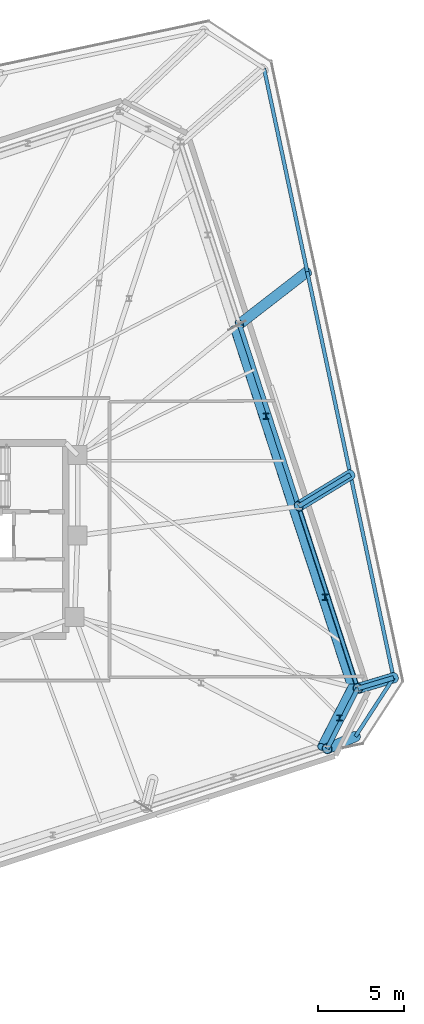
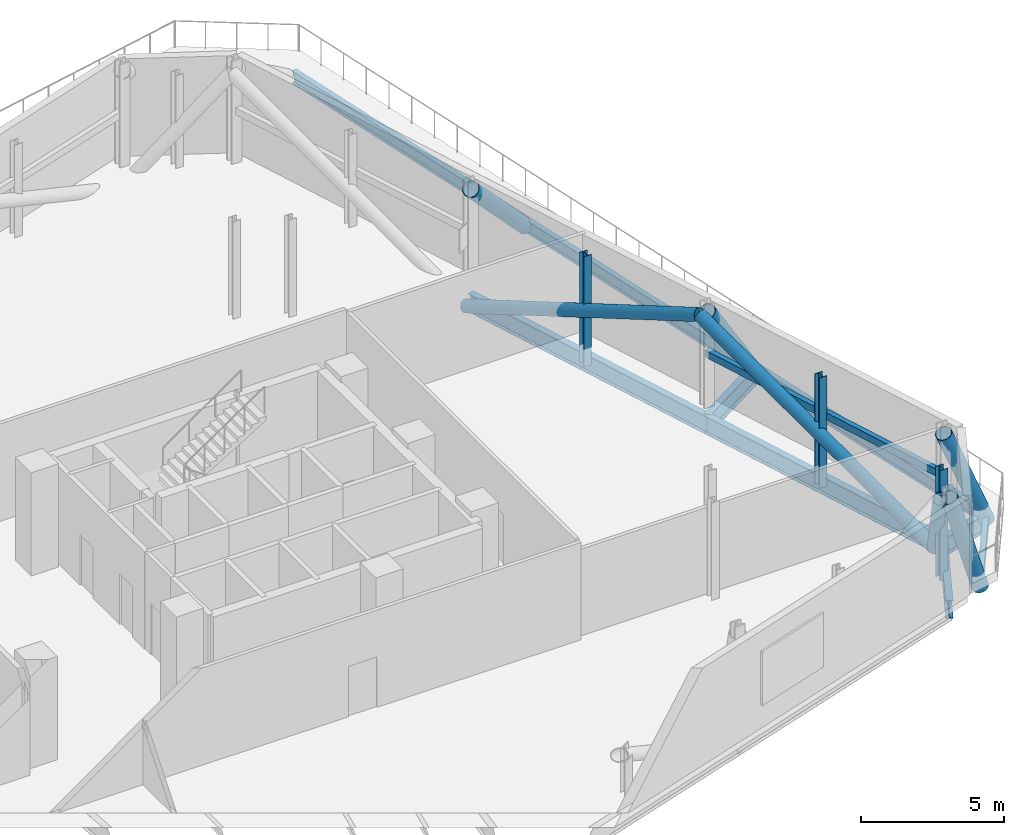
# One storey, part 9 of 16: 11 members, 9 beams.
"""IFC4 building model written with IfcOpenShell, lengths in metres."""

import ifcopenshell
import ifcopenshell.guid

model = None  # the IFC model being written
_history = None  # IfcOwnerHistory: only IFC2X3 demands one
_inside = {}  # id of a spatial element -> (the spatial element, [elements in it])
_under = {}  # id of a project, library or spatial element -> (it, [spatial elements below it])
_declared = {}  # id of a project -> (the project, [libraries it declares])
_typed = {}  # id of a type object -> (the type object, [elements of that type])
_made_of = {}  # id of a material, layer set ... -> (it, [elements and type objects made of it])


def new_model(schema):
    """Start an empty IFC model of exactly this schema.

    Asked for "IFC4X3", IfcOpenShell would pick the latest addendum, in which some entities
    have other attributes; the version numbers below select the first issue.
    IFC2X3 requires an IfcOwnerHistory on every rooted entity: one is made here for all.
    """
    global model, _history
    if schema == "IFC4X3":
        model = ifcopenshell.file(schema_version=(4, 3, 0, 0))
    else:
        model = ifcopenshell.file(schema=schema)
    _inside.clear()
    _under.clear()
    _declared.clear()
    _typed.clear()
    _made_of.clear()
    _history = None
    if model.schema == "IFC2X3":
        org = make("IfcOrganization", Name="unknown")
        user = make(
            "IfcPersonAndOrganization",
            ThePerson=make("IfcPerson", FamilyName="unknown"),
            TheOrganization=org,
        )
        app = make(
            "IfcApplication",
            ApplicationDeveloper=org,
            Version="unknown",
            ApplicationFullName="unknown",
            ApplicationIdentifier="unknown",
        )
        _history = make(
            "IfcOwnerHistory",
            OwningUser=user,
            OwningApplication=app,
            ChangeAction="ADDED",
            CreationDate=0,
        )
    return model


def make(cls, **values):
    """One entity of the class cls with the attributes given. An attribute that is None is left unset."""
    return model.create_entity(
        cls, **{name: value for name, value in values.items() if value is not None}
    )


def rooted(cls, **values):
    """An entity with a GlobalId (a new one), such as an element, a storey or a relation."""
    return make(cls, GlobalId=ifcopenshell.guid.new(), OwnerHistory=_history, **values)


def si_unit(unit_type, name, prefix=None):
    """IfcSIUnit, for example si_unit("LENGTHUNIT", "METRE", prefix="MILLI")."""
    return make("IfcSIUnit", UnitType=unit_type, Prefix=prefix, Name=name)


def assignment(units):
    """IfcUnitAssignment: the units of a project."""
    return None if units is None else make("IfcUnitAssignment", Units=units)


def point(xyz):
    """IfcCartesianPoint."""
    return None if xyz is None else make("IfcCartesianPoint", Coordinates=xyz)


def direction(xyz):
    """IfcDirection."""
    return None if xyz is None else make("IfcDirection", DirectionRatios=xyz)


def frame(location, z_axis=None, x_axis=None):
    """IfcAxis2Placement3D, a coordinate frame: its origin and axes. An axis left out is left unset."""
    return make(
        "IfcAxis2Placement3D",
        Location=point(location),
        Axis=direction(z_axis),
        RefDirection=direction(x_axis),
    )


def frame_2d(location, x_axis=None):
    """IfcAxis2Placement2D, a coordinate frame in the plane: its origin and x axis."""
    return make(
        "IfcAxis2Placement2D", Location=point(location), RefDirection=direction(x_axis)
    )


def origin():
    """The frame at (0, 0, 0) with its axes left unset."""
    return frame((0.0, 0.0, 0.0))


def origin_2d():
    """The frame at (0, 0) in the plane with its x axis left unset."""
    return frame_2d((0.0, 0.0))


def place(relative_to, where):
    """IfcLocalPlacement: puts the frame where relative to a parent placement (None: the world)."""
    return make(
        "IfcLocalPlacement", PlacementRelTo=relative_to, RelativePlacement=where
    )


def context(
    kind, dimensions, precision=None, world=None, true_north=None, identifier=None
):
    """IfcGeometricRepresentationContext, for example the 3D "Model" context."""
    return make(
        "IfcGeometricRepresentationContext",
        ContextIdentifier=identifier,
        ContextType=kind,
        CoordinateSpaceDimension=dimensions,
        Precision=precision,
        WorldCoordinateSystem=world,
        TrueNorth=true_north,
    )


def subcontext(parent, identifier, kind, view, scale=None):
    """IfcGeometricRepresentationSubContext, for example "Body" below "Model"."""
    return make(
        "IfcGeometricRepresentationSubContext",
        ContextIdentifier=identifier,
        ContextType=kind,
        ParentContext=parent,
        TargetScale=scale,
        TargetView=view,
    )


def project(units=None, contexts=None):
    """IfcProject with its units and contexts."""
    return rooted(
        "IfcProject",
        Name="project",
        RepresentationContexts=contexts,
        UnitsInContext=assignment(units),
    )


def spatial(cls, under=None, at=None, **own):
    """A site, building, storey or space (cls), placed at a placement, below another one or the project."""
    s = rooted(cls, ObjectPlacement=at, **own)
    if under is not None:
        _under.setdefault(under.id(), (under, []))[1].append(s)
    return s


def profile(cls, at=None, kind="AREA", **sizes):
    """A parametric profile (cls). Its sizes go by their IFC names, for example OverallWidth=200.0."""
    return make(cls, ProfileType=kind, Position=at, **sizes)


def hollow_rectangle(**sizes):
    """IfcRectangleHollowProfileDef."""
    return profile("IfcRectangleHollowProfileDef", **sizes)


def hollow_circle(**sizes):
    """IfcCircleHollowProfileDef."""
    return profile("IfcCircleHollowProfileDef", **sizes)


def i_section(**sizes):
    """IfcIShapeProfileDef."""
    return profile("IfcIShapeProfileDef", **sizes)


def extrude(swept, where, along, depth):
    """IfcExtrudedAreaSolid: the profile swept, set in the frame where, extruded along a direction by depth."""
    return make(
        "IfcExtrudedAreaSolid",
        SweptArea=swept,
        Position=where,
        ExtrudedDirection=direction(along),
        Depth=depth,
    )


def shape(context_of_items, identifier, shape_type, items):
    """IfcShapeRepresentation: the items that make up one representation, for example the "Body"."""
    return make(
        "IfcShapeRepresentation",
        ContextOfItems=context_of_items,
        RepresentationIdentifier=identifier,
        RepresentationType=shape_type,
        Items=items,
    )


def material(Name=None, Category=None):
    """IfcMaterial."""
    return make("IfcMaterial", Name=Name, Category=Category)


def material_profile(
    of_material, cross_section, Name=None, Category=None, Priority=None
):
    """IfcMaterialProfile: a cross section and its material."""
    return make(
        "IfcMaterialProfile",
        Name=Name,
        Material=of_material,
        Profile=cross_section,
        Priority=Priority,
        Category=Category,
    )


def profile_set(profiles, Name=None, composite=None):
    """IfcMaterialProfileSet."""
    return make(
        "IfcMaterialProfileSet",
        Name=Name,
        MaterialProfiles=profiles,
        CompositeProfile=composite,
    )


def made_of(thing, what):
    """Note that an element or type object is made of a material, layer set ...; save() writes the relation."""
    if what is not None:
        _made_of.setdefault(what.id(), (what, []))[1].append(thing)
    return thing


def type_object(cls, material=None, **own):
    """A type object (cls), such as IfcWallType, which elements share."""
    return made_of(rooted(cls, **own), material)


def element(
    cls,
    number,
    at=None,
    inside=None,
    cuts=None,
    type_object=None,
    material=None,
    context=None,
    identifier="Body",
    shape_type=None,
    held_by="IfcProductDefinitionShape",
    body=None,
    shapes=None,
    **own,
):
    """One element of the class cls, such as IfcWall. Its Tag is "e" and its number.

    at: its placement. inside: the storey or other place that contains it. cuts: it is an
    opening in that element (IfcRelVoidsElement). A single representation is given by context,
    identifier, shape_type and body (its items); several are given by shapes. held_by: the class
    of the entity that holds the representations. save() writes the other relations.
    """
    e = rooted(cls, Tag="e%d" % number, ObjectPlacement=at, **own)
    if body is not None:
        shapes = [shape(context, identifier, shape_type, body)]
    if shapes is not None:
        e.Representation = make(held_by, Representations=shapes)
    if inside is not None:
        _inside.setdefault(inside.id(), (inside, []))[1].append(e)
    if cuts is not None:
        rooted(
            "IfcRelVoidsElement", RelatingBuildingElement=cuts, RelatedOpeningElement=e
        )
    if type_object is not None:
        _typed.setdefault(type_object.id(), (type_object, []))[1].append(e)
    return made_of(e, material)


def aggregate(whole, parts):
    """IfcRelAggregates: a whole, such as a stair, and the parts it consists of."""
    return rooted("IfcRelAggregates", RelatingObject=whole, RelatedObjects=parts)


def save(model, path):
    """Write the relations noted so far, then the file.

    IfcRelAggregates (storeys below a building ...), IfcRelContainedInSpatialStructure (elements
    in a storey), IfcRelDefinesByType, IfcRelAssociatesMaterial and IfcRelDeclares: one each for
    every whole, place, type object, material and project.
    """
    for whole, parts in _under.values():
        aggregate(whole, parts)
    for where, things in _inside.values():
        rooted(
            "IfcRelContainedInSpatialStructure",
            RelatedElements=things,
            RelatingStructure=where,
        )
    for kind, things in _typed.values():
        rooted("IfcRelDefinesByType", RelatedObjects=things, RelatingType=kind)
    for what, things in _made_of.values():
        rooted("IfcRelAssociatesMaterial", RelatedObjects=things, RelatingMaterial=what)
    for by, libraries in _declared.values():
        rooted("IfcRelDeclares", RelatingContext=by, RelatedDefinitions=libraries)
    model.write(path)


model = new_model("IFC4")

# Units and contexts
model_context = context("Model", 3, precision=1e-05, world=origin(), true_north=direction((0.0, 1.0)))
body_context = subcontext(model_context, "Body", "Model", "MODEL_VIEW")
ifc_project = project(units=[si_unit("LENGTHUNIT", "METRE"), si_unit("AREAUNIT", "SQUARE_METRE"), si_unit("VOLUMEUNIT", "CUBIC_METRE"), si_unit("PLANEANGLEUNIT", "RADIAN"), si_unit("MASSUNIT", "GRAM", prefix="KILO")], contexts=[model_context])

# Site, building, storey
site_placement = place(None, origin())
site = spatial("IfcSite", under=ifc_project, at=site_placement, CompositionType="ELEMENT")
building_placement = place(site_placement, origin())
building = spatial("IfcBuilding", under=site, at=building_placement, Name="Menara Jurai Vektor", CompositionType="ELEMENT")
storey_placement = place(building_placement, frame((0.0, 0.0, 202.39990234375)))
storey = spatial("IfcBuildingStorey", under=building, at=storey_placement, Name="L53", CompositionType="ELEMENT", Elevation=202.39990234375)

# Beams
ifc_material_1 = material(Name="Steel S355", Category="steel")
ifc_material_profile_1 = material_profile(ifc_material_1, i_section(OverallWidth=0.2109375, OverallDepth=0.5390625, WebThickness=0.011962890625, FlangeThickness=0.01904296875, FilletRadius=0.012939453125, at=origin_2d()), Name="UKB 533x210x109")
ifc_profile_set_1 = profile_set([ifc_material_profile_1], Name="Steel S355")
beam_type_1 = type_object("IfcBeamType", Name="STR-BM-533", PredefinedType="BEAM", material=ifc_profile_set_1)
beam_1_placement = place(storey_placement, frame((31.376220703125, -11.438720703125, -0.67431640625), z_axis=(0.544646071268, 0.838665998507, 0.0), x_axis=(-0.838665998507, 0.544646071268, 0.0)))
element("IfcBeam", 1, at=beam_1_placement, inside=storey, type_object=beam_type_1, Name="Step Terrace Edge Beam L53-06", PredefinedType="BEAM", context=body_context, shape_type="SweptSolid", body=[
    extrude(i_section(OverallWidth=0.2109375, OverallDepth=0.5390625, WebThickness=0.011962890625, FlangeThickness=0.01904296875, FilletRadius=0.012939453125, at=origin_2d()), origin(), (0.0, 0.0, 1.0), 4.06201171875),
])
beam_2_placement = place(storey_placement, frame((33.588623046875, -8.031982421875, -0.67431640625), z_axis=(-0.207925382659, 0.978144690343, 0.0), x_axis=(-0.978144690343, -0.207925382659, 0.0)))
element("IfcBeam", 2, at=beam_2_placement, inside=storey, type_object=beam_type_1, Name="Step Terrace Edge Beam L53-07", PredefinedType="BEAM", context=body_context, shape_type="SweptSolid", body=[
    extrude(i_section(OverallWidth=0.2109375, OverallDepth=0.5390625, WebThickness=0.011962890625, FlangeThickness=0.01904296875, FilletRadius=0.012939453125, at=origin_2d()), origin(), (0.0, 0.0, 1.0), 12.0517578125),
])
for number, where, z_axis, x_axis, name in (
    (3, (31.082763671875, 3.75634765625, -0.67431640625), (-0.207901880993, 0.978149685825, 0.0), (-0.978149685825, -0.207901880993, 0.0), "Step Terrace Edge Beam L53-08"),
    (4, (28.5771484375, 15.544921875, -0.67431640625), (-0.207921262698, 0.978145566119, 0.0), (-0.978145566119, -0.207921262698, 0.0), "Step Terrace Edge Beam L53-09"),
):
    element("IfcBeam", number, at=place(storey_placement, frame(where, z_axis=z_axis, x_axis=x_axis)), inside=storey, type_object=beam_type_1, Name=name, PredefinedType="BEAM", context=body_context, shape_type="SweptSolid", body=[
        extrude(i_section(OverallWidth=0.2109375, OverallDepth=0.5390625, WebThickness=0.011962890625, FlangeThickness=0.01904296875, FilletRadius=0.012939453125, at=origin_2d()), origin(), (0.0, 0.0, 1.0), 12.052001953125),
    ])
ifc_material_2 = material(Name="Steel S460", Category="steel")
ifc_material_profile_2 = material_profile(ifc_material_2, i_section(OverallWidth=0.26806640625, OverallDepth=0.77001953125, WebThickness=0.01611328125, FlangeThickness=0.02490234375, FilletRadius=0.01708984375, at=origin_2d()), Name="UKB 762x267x197")
ifc_profile_set_2 = profile_set([ifc_material_profile_2], Name="Steel S460")
beam_type_2 = type_object("IfcBeamType", Name="STR-BM-TR762", PredefinedType="BEAM", material=ifc_profile_set_2)
beam_3_placement = place(storey_placement, frame((29.7333984375, -12.14501953125, -0.789794921875), z_axis=(0.454050785633, 0.890975804423, 0.0), x_axis=(-0.890975804423, 0.454050785633, 0.0)))
element("IfcBeam", 5, at=beam_3_placement, inside=storey, type_object=beam_type_2, Name="Belt Truss Bottom Chord L53-06", PredefinedType="BEAM", context=body_context, shape_type="SweptSolid", body=[
    extrude(i_section(OverallWidth=0.26806640625, OverallDepth=0.77001953125, WebThickness=0.01611328125, FlangeThickness=0.02490234375, FilletRadius=0.01708984375, at=origin_2d()), origin(), (0.0, 0.0, 1.0), 3.92041015625),
])
beam_4_placement = place(storey_placement, frame((31.513427734375, -8.652099609375, -0.789794921875), z_axis=(-0.309012092614, 0.95105810896, 0.0), x_axis=(-0.95105810896, -0.309012092614, 0.0)))
element("IfcBeam", 6, at=beam_4_placement, inside=storey, type_object=beam_type_2, Name="Belt Truss Bottom Chord L53-07", PredefinedType="BEAM", context=body_context, shape_type="SweptSolid", body=[
    extrude(i_section(OverallWidth=0.26806640625, OverallDepth=0.77001953125, WebThickness=0.01611328125, FlangeThickness=0.02490234375, FilletRadius=0.01708984375, at=origin_2d()), origin(), (0.0, 0.0, 1.0), 11.11865234375),
])
beam_5_placement = place(storey_placement, frame((33.588623046875, -8.031982421875, -0.789794921875), z_axis=(-0.958135970651, -0.286313572406, 0.0), x_axis=(0.286313572406, -0.958135970651, 0.0)))
element("IfcBeam", 7, at=beam_5_placement, inside=storey, type_object=beam_type_2, Name="Cantilever Transfer Girder L53-E1", PredefinedType="BEAM", context=body_context, shape_type="SweptSolid", body=[
    extrude(i_section(OverallWidth=0.26806640625, OverallDepth=0.77001953125, WebThickness=0.01611328125, FlangeThickness=0.02490234375, FilletRadius=0.01708984375, at=origin_2d()), origin(), (0.0, 0.0, 1.0), 2.165771484375),
])
beam_6_placement = place(storey_placement, frame((28.07763671875, 1.92236328125, -0.789794921875), z_axis=(-0.309012092614, 0.95105810896, 0.0), x_axis=(-0.95105810896, -0.309012092614, 0.0)))
element("IfcBeam", 8, at=beam_6_placement, inside=storey, type_object=beam_type_2, Name="Belt Truss Bottom Chord L53-08", PredefinedType="BEAM", context=body_context, shape_type="SweptSolid", body=[
    extrude(i_section(OverallWidth=0.26806640625, OverallDepth=0.77001953125, WebThickness=0.01611328125, FlangeThickness=0.02490234375, FilletRadius=0.01708984375, at=origin_2d()), origin(), (0.0, 0.0, 1.0), 11.11865234375),
])
beam_7_placement = place(storey_placement, frame((31.082763671875, 3.75634765625, -0.789794921875), z_axis=(-0.853595378183, -0.520936589562, 0.0), x_axis=(0.520936589562, -0.853595378183, 0.0)))
element("IfcBeam", 9, at=beam_7_placement, inside=storey, type_object=beam_type_2, Name="Cantilever Transfer Girder L53-E2", PredefinedType="BEAM", context=body_context, shape_type="SweptSolid", body=[
    extrude(i_section(OverallWidth=0.26806640625, OverallDepth=0.77001953125, WebThickness=0.01611328125, FlangeThickness=0.02490234375, FilletRadius=0.01708984375, at=origin_2d()), origin(), (0.0, 0.0, 1.0), 3.5205078125),
])

# Members
ifc_material_profile_3 = material_profile(ifc_material_2, hollow_circle(Radius=0.25390625, WallThickness=0.02001953125, at=origin_2d()), Name="CHS 508x20")
ifc_profile_set_3 = profile_set([ifc_material_profile_3], Name="Steel S460")
member_type_1 = type_object("IfcMemberType", Name="STR-BR-508", PredefinedType="BRACE", material=ifc_profile_set_3)
member_1_placement = place(storey_placement, frame((31.17919921875, -8.5888671875, -0.789794921875), z_axis=(-0.287410800683, -0.561069319535, 0.776270732623), x_axis=(0.890021588186, -0.455918383664, 0.0)))
element("IfcMember", 10, at=member_1_placement, inside=storey, type_object=member_type_1, Name="Belt Truss Web Diagonal L53-06", PredefinedType="BRACE", context=body_context, shape_type="SweptSolid", body=[
    extrude(hollow_circle(Radius=0.25390625, WallThickness=0.02001953125, at=origin_2d()), origin(), (0.0, 0.0, 1.0), 6.16015625),
])
member_2_placement = place(storey_placement, frame((31.17919921875, -8.5888671875, -0.789794921875), z_axis=(-0.286330826112, 0.871474347504, 0.398179757974), x_axis=(-0.950035222792, -0.312142716486, 0.0)))
element("IfcMember", 11, at=member_2_placement, inside=storey, type_object=member_type_1, Name="Belt Truss Web Diagonal L53-07", PredefinedType="BRACE", context=body_context, shape_type="SweptSolid", body=[
    extrude(hollow_circle(Radius=0.25390625, WallThickness=0.02001953125, at=origin_2d()), origin(), (0.0, 0.0, 1.0), 12.009521484375),
])
member_3_placement = place(storey_placement, frame((24.342529296875, 12.335205078125, -0.789794921875), z_axis=(0.283375694167, -0.872157007857, 0.398798657972), x_axis=(0.951058213509, 0.309011770838, 0.0)))
element("IfcMember", 12, at=member_3_placement, inside=storey, type_object=member_type_1, Name="Belt Truss Web Diagonal L53-08", PredefinedType="BRACE", context=body_context, shape_type="SweptSolid", body=[
    extrude(hollow_circle(Radius=0.25390625, WallThickness=0.02001953125, at=origin_2d()), origin(), (0.0, 0.0, 1.0), 11.990966796875),
])
ifc_material_profile_4 = material_profile(ifc_material_2, hollow_rectangle(XDim=0.199951171875, YDim=0.300048828125, WallThickness=0.012451171875, at=origin_2d()), Name="RHS 300x200x12.5")
ifc_profile_set_4 = profile_set([ifc_material_profile_4], Name="Steel S460")
member_type_2 = type_object("IfcMemberType", Name="STR-CH-RHS300", PredefinedType="CHORD", material=ifc_profile_set_4)
member_4_placement = place(storey_placement, frame((31.513427734375, -8.652099609375, 2.22998046875), z_axis=(-0.309012092614, 0.95105810896, 0.0), x_axis=(-0.95105810896, -0.309012092614, 0.0)))
element("IfcMember", 13, at=member_4_placement, inside=storey, type_object=member_type_2, Name="Belt Truss Mid Chord L53-07", PredefinedType="CHORD", context=body_context, shape_type="SweptSolid", body=[
    extrude(hollow_rectangle(XDim=0.199951171875, YDim=0.300048828125, WallThickness=0.012451171875, at=origin_2d()), origin(), (0.0, 0.0, 1.0), 11.11865234375),
])
ifc_material_profile_5 = material_profile(ifc_material_2, i_section(OverallWidth=0.31103515625, OverallDepth=0.326904296875, WebThickness=0.01611328125, FlangeThickness=0.02490234375, FilletRadius=0.014892578125, at=origin_2d()), Name="UKC 305x305x158")
ifc_profile_set_5 = profile_set([ifc_material_profile_5], Name="Steel S460")
member_type_3 = type_object("IfcMemberType", Name="STR-POST-305", PredefinedType="POST", material=ifc_profile_set_5)
for number, where, z_axis, x_axis, name in (
    (14, (30.44873046875, -10.35546875, -0.7548828125), (0.0, 0.0, 1.0), (1.0, 0.0, 0.0), "Belt Truss Vertical Web Post L53-06"),
    (15, (29.615478515625, -3.3583984375, -0.7548828125), (0.0, 0.0, 1.0), (1.0, 0.0, 0.0), "Belt Truss Vertical Web Post L53-07"),
    (16, (26.1884765625, 7.15380859375, -0.7548828125), (0.0, 0.0, 1.0), (1.0, 0.0, 0.0), "Belt Truss Vertical Web Post L53-08"),
):
    element("IfcMember", number, at=place(storey_placement, frame(where, z_axis=z_axis, x_axis=x_axis)), inside=storey, type_object=member_type_3, Name=name, PredefinedType="POST", context=body_context, shape_type="SweptSolid", body=[
        extrude(i_section(OverallWidth=0.31103515625, OverallDepth=0.326904296875, WebThickness=0.01611328125, FlangeThickness=0.02490234375, FilletRadius=0.014892578125, at=origin_2d()), origin(), (0.0, 0.0, 1.0), 4.705078125),
    ])
ifc_material_profile_6 = material_profile(ifc_material_2, hollow_circle(Radius=0.304931640625, WallThickness=0.02490234375, at=origin_2d()), Name="CHS 610x25")
ifc_profile_set_6 = profile_set([ifc_material_profile_6], Name="Steel S460")
member_type_4 = type_object("IfcMemberType", Name="STR-ST-610", PredefinedType="STRUT", material=ifc_profile_set_6)
member_5_placement = place(storey_placement, frame((31.376220703125, -11.438720703125, -0.789794921875), z_axis=(-0.321738620307, -0.138345693898, 0.936666818662), x_axis=(0.39502314117, -0.918671169647, 0.0)))
element("IfcMember", 17, at=member_5_placement, inside=storey, type_object=member_type_4, Name="Transfer Outrigger Strut L53-S6", PredefinedType="STRUT", context=body_context, shape_type="SweptSolid", body=[
    extrude(hollow_circle(Radius=0.304931640625, WallThickness=0.02490234375, at=origin_2d()), origin(), (0.0, 0.0, 1.0), 5.105224609375),
])
member_6_placement = place(storey_placement, frame((33.588623046875, -8.031982421875, -0.789794921875), z_axis=(-0.395305153379, -0.118126481127, 0.910922592852), x_axis=(0.286313572406, -0.958135970651, 0.0)))
element("IfcMember", 18, at=member_6_placement, inside=storey, type_object=member_type_4, Name="Transfer Outrigger Strut L53-E1", PredefinedType="STRUT", context=body_context, shape_type="SweptSolid", body=[
    extrude(hollow_circle(Radius=0.304931640625, WallThickness=0.02490234375, at=origin_2d()), origin(), (0.0, 0.0, 1.0), 5.24951171875),
])
member_7_placement = place(storey_placement, frame((31.082763671875, 3.75634765625, -0.789794921875), z_axis=(-0.506071120166, -0.308847693126, 0.805298158314), x_axis=(0.520936589562, -0.853595378183, 0.0)))
element("IfcMember", 19, at=member_7_placement, inside=storey, type_object=member_type_4, Name="Transfer Outrigger Strut L53-E2", PredefinedType="STRUT", context=body_context, shape_type="SweptSolid", body=[
    extrude(hollow_circle(Radius=0.304931640625, WallThickness=0.02490234375, at=origin_2d()), origin(), (0.0, 0.0, 1.0), 5.938232421875),
])
member_8_placement = place(storey_placement, frame((28.5771484375, 15.544921875, -0.789794921875), z_axis=(-0.570125099672, -0.441591405758, 0.692787414063), x_axis=(0.612350250587, -0.790586599056, 0.0)))
element("IfcMember", 20, at=member_8_placement, inside=storey, type_object=member_type_4, Name="Transfer Outrigger Strut L53-E3", PredefinedType="STRUT", context=body_context, shape_type="SweptSolid", body=[
    extrude(hollow_circle(Radius=0.304931640625, WallThickness=0.02490234375, at=origin_2d()), origin(), (0.0, 0.0, 1.0), 6.902587890625),
])

save(model, "model.ifc")
